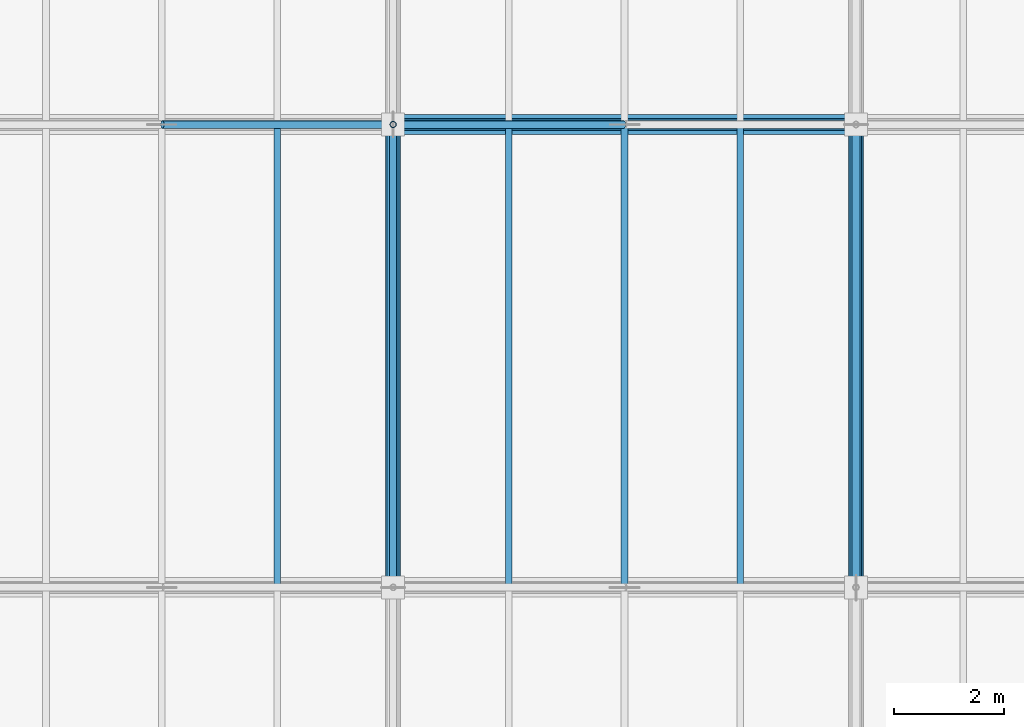
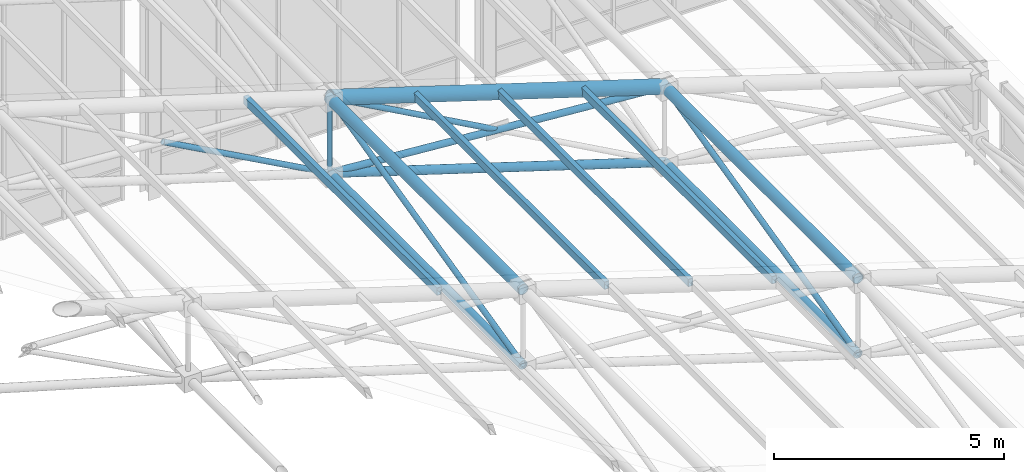
# One storey, part 99 of 144: 16 members.
"""IFC4 building model written with IfcOpenShell, lengths in metres."""

from ifc_helpers import new_model, si_unit, direction, frame, origin, origin_2d, place, context, subcontext, project, spatial, hollow_rectangle, hollow_circle, extrude, material, material_profile, profile_set, type_object, element, save


model = new_model("IFC4")

# Units and contexts
model_context = context("Model", 3, precision=1e-05, world=origin(), true_north=direction((0.0, 1.0)))
body_context = subcontext(model_context, "Body", "Model", "MODEL_VIEW")
ifc_project = project(units=[si_unit("LENGTHUNIT", "METRE"), si_unit("AREAUNIT", "SQUARE_METRE"), si_unit("VOLUMEUNIT", "CUBIC_METRE"), si_unit("PLANEANGLEUNIT", "RADIAN"), si_unit("MASSUNIT", "GRAM", prefix="KILO")], contexts=[model_context])

# Site, building, storey
site_placement = place(None, origin())
site = spatial("IfcSite", under=ifc_project, at=site_placement, CompositionType="ELEMENT")
building_placement = place(site_placement, origin())
building = spatial("IfcBuilding", under=site, at=building_placement, Name="Zayran Congress Hotel", CompositionType="ELEMENT")
storey_placement = place(building_placement, frame((0.0, 0.0, 19.199951171875)))
storey = spatial("IfcBuildingStorey", under=building, at=storey_placement, Name="L04", CompositionType="ELEMENT", Elevation=19.199951171875)

# Members
ifc_material = material(Name="Steel S355", Category="steel")
ifc_material_profile_1 = material_profile(ifc_material, hollow_circle(Radius=0.177734375, WallThickness=0.01611328125, at=origin_2d()), Name="CHS 355.6x16")
ifc_profile_set_1 = profile_set([ifc_material_profile_1], Name="Steel S355")
member_type_1 = type_object("IfcMemberType", Name="TP-SF-TC1", PredefinedType="CHORD", material=ifc_profile_set_1)
member_1_placement = place(storey_placement, frame((75.60009765625, 109.60009765625, 7.302001953125), z_axis=(0.953670596398, 0.0, -0.300852777228), x_axis=(0.0, 1.0, 0.0)))
element("IfcMember", 1, at=member_1_placement, inside=storey, type_object=member_type_1, Name="Space Frame Top Chord X 477", PredefinedType="CHORD", context=body_context, shape_type="SweptSolid", body=[
    extrude(hollow_circle(Radius=0.177734375, WallThickness=0.01611328125, at=origin_2d()), origin(), (0.0, 0.0, 1.0), 8.807861328125),
])
ifc_material_profile_2 = material_profile(ifc_material, hollow_circle(Radius=0.136474609375, WallThickness=0.012451171875, at=origin_2d()), Name="CHS 273x12.5")
ifc_profile_set_2 = profile_set([ifc_material_profile_2], Name="Steel S355")
member_type_2 = type_object("IfcMemberType", Name="TP-SF-TC2", PredefinedType="CHORD", material=ifc_profile_set_2)
for number, where, z_axis, x_axis, name in (
    (2, (75.60009765625, 101.199951171875, 7.302001953125), (0.0, 1.0, 0.0), (-1.0, 0.0, 0.0), "Space Frame Top Chord Y 473"),
    (3, (84.0, 101.199951171875, 4.652099609375), (0.0, 1.0, 0.0), (-1.0, 0.0, 0.0), "Space Frame Top Chord Y 526"),
):
    element("IfcMember", number, at=place(storey_placement, frame(where, z_axis=z_axis, x_axis=x_axis)), inside=storey, type_object=member_type_2, Name=name, PredefinedType="CHORD", context=body_context, shape_type="SweptSolid", body=[
        extrude(hollow_circle(Radius=0.136474609375, WallThickness=0.012451171875, at=origin_2d()), origin(), (0.0, 0.0, 1.0), 8.400146484375),
    ])
ifc_material_profile_3 = material_profile(ifc_material, hollow_circle(Radius=0.109619140625, WallThickness=0.010009765625, at=origin_2d()), Name="CHS 219.1x10")
ifc_profile_set_3 = profile_set([ifc_material_profile_3], Name="Steel S355")
member_type_3 = type_object("IfcMemberType", Name="TP-SF-BC1", PredefinedType="CHORD", material=ifc_profile_set_3)
member_2_placement = place(storey_placement, frame((75.60009765625, 101.199951171875, 5.300048828125), z_axis=(0.0, 1.0, 0.0), x_axis=(-1.0, 0.0, 0.0)))
element("IfcMember", 4, at=member_2_placement, inside=storey, type_object=member_type_3, Name="Space Frame Bottom Chord Y 474", PredefinedType="CHORD", context=body_context, shape_type="SweptSolid", body=[
    extrude(hollow_circle(Radius=0.109619140625, WallThickness=0.010009765625, at=origin_2d()), origin(), (0.0, 0.0, 1.0), 8.400146484375),
])
member_3_placement = place(storey_placement, frame((75.60009765625, 109.60009765625, 5.300048828125), z_axis=(0.953670596398, 0.0, -0.300852777228), x_axis=(0.0, 1.0, 0.0)))
element("IfcMember", 5, at=member_3_placement, inside=storey, type_object=member_type_3, Name="Space Frame Bottom Chord X 478", PredefinedType="CHORD", context=body_context, shape_type="SweptSolid", body=[
    extrude(hollow_circle(Radius=0.109619140625, WallThickness=0.010009765625, at=origin_2d()), origin(), (0.0, 0.0, 1.0), 8.807861328125),
])
member_4_placement = place(storey_placement, frame((84.0, 101.199951171875, 2.650146484375), z_axis=(0.0, 1.0, 0.0), x_axis=(-1.0, 0.0, 0.0)))
element("IfcMember", 6, at=member_4_placement, inside=storey, type_object=member_type_3, Name="Space Frame Bottom Chord Y 527", PredefinedType="CHORD", context=body_context, shape_type="SweptSolid", body=[
    extrude(hollow_circle(Radius=0.109619140625, WallThickness=0.010009765625, at=origin_2d()), origin(), (0.0, 0.0, 1.0), 8.400146484375),
])
ifc_material_profile_4 = material_profile(ifc_material, hollow_circle(Radius=0.084228515625, WallThickness=0.008056640625, at=origin_2d()), Name="CHS 168.3x8")
ifc_profile_set_4 = profile_set([ifc_material_profile_4], Name="Steel S355")
member_type_4 = type_object("IfcMemberType", Name="TP-SF-DG1", PredefinedType="BRACE", material=ifc_profile_set_4)
member_5_placement = place(storey_placement, frame((75.60009765625, 109.60009765625, 5.300048828125), z_axis=(0.997038098414, 0.0, -0.076909234238), x_axis=(0.0, 1.0, 0.0)))
element("IfcMember", 7, at=member_5_placement, inside=storey, type_object=member_type_4, Name="Space Frame Web Diagonal X 479", PredefinedType="BRACE", context=body_context, shape_type="SweptSolid", body=[
    extrude(hollow_circle(Radius=0.084228515625, WallThickness=0.008056640625, at=origin_2d()), origin(), (0.0, 0.0, 1.0), 8.4248046875),
])
ifc_material_profile_5 = material_profile(ifc_material, hollow_circle(Radius=0.06982421875, WallThickness=0.00634765625, at=origin_2d()), Name="CHS 139.7x6.3")
ifc_profile_set_5 = profile_set([ifc_material_profile_5], Name="Steel S355")
member_type_5 = type_object("IfcMemberType", Name="TP-SF-DG2", PredefinedType="BRACE", material=ifc_profile_set_5)
member_6_placement = place(storey_placement, frame((71.4130859375, 109.60009765625, 7.59375), z_axis=(0.877024445647, 0.0, -0.480445753169), x_axis=(0.0, 1.0, 0.0)))
element("IfcMember", 8, at=member_6_placement, inside=storey, type_object=member_type_5, Name="Space Frame Counter Diagonal X Lower 67", PredefinedType="BRACE", context=body_context, shape_type="SweptSolid", body=[
    extrude(hollow_circle(Radius=0.06982421875, WallThickness=0.00634765625, at=origin_2d()), origin(), (0.0, 0.0, 1.0), 4.774169921875),
])
member_7_placement = place(storey_placement, frame((75.60009765625, 101.199951171875, 5.300048828125), z_axis=(0.0, 0.972756139537, 0.231830742122), x_axis=(-1.0, 0.0, 0.0)))
element("IfcMember", 9, at=member_7_placement, inside=storey, type_object=member_type_5, Name="Space Frame Web Diagonal Y 475", PredefinedType="BRACE", context=body_context, shape_type="SweptSolid", body=[
    extrude(hollow_circle(Radius=0.06982421875, WallThickness=0.00634765625, at=origin_2d()), origin(), (0.0, 0.0, 1.0), 8.635498046875),
])
member_8_placement = place(storey_placement, frame((75.60009765625, 109.60009765625, 7.302001953125), z_axis=(0.874810980482, 0.0, -0.484464393355), x_axis=(0.0, 1.0, 0.0)))
element("IfcMember", 10, at=member_8_placement, inside=storey, type_object=member_type_5, Name="Space Frame Counter Diagonal X Upper 480", PredefinedType="BRACE", context=body_context, shape_type="SweptSolid", body=[
    extrude(hollow_circle(Radius=0.06982421875, WallThickness=0.00634765625, at=origin_2d()), origin(), (0.0, 0.0, 1.0), 4.785888671875),
])
member_9_placement = place(storey_placement, frame((84.0, 101.199951171875, 2.650146484375), z_axis=(0.0, 0.972756139537, 0.231830742122), x_axis=(-1.0, 0.0, 0.0)))
element("IfcMember", 11, at=member_9_placement, inside=storey, type_object=member_type_5, Name="Space Frame Web Diagonal Y 528", PredefinedType="BRACE", context=body_context, shape_type="SweptSolid", body=[
    extrude(hollow_circle(Radius=0.06982421875, WallThickness=0.00634765625, at=origin_2d()), origin(), (0.0, 0.0, 1.0), 8.635498046875),
])
ifc_material_profile_6 = material_profile(ifc_material, hollow_circle(Radius=0.05712890625, WallThickness=0.00634765625, at=origin_2d()), Name="CHS 114.3x6.3")
ifc_profile_set_6 = profile_set([ifc_material_profile_6], Name="Steel S355")
member_type_6 = type_object("IfcMemberType", Name="TP-SF-DG3", PredefinedType="BRACE", material=ifc_profile_set_6)
member_10_placement = place(storey_placement, frame((75.60009765625, 109.60009765625, 5.300048828125), z_axis=(0.0, 0.0, 1.0), x_axis=(0.0, 1.0, 0.0)))
element("IfcMember", 12, at=member_10_placement, inside=storey, type_object=member_type_6, Name="Space Frame Web Strut 484", PredefinedType="BRACE", context=body_context, shape_type="SweptSolid", body=[
    extrude(hollow_circle(Radius=0.05712890625, WallThickness=0.00634765625, at=origin_2d()), origin(), (0.0, 0.0, 1.0), 2.001953125),
])
ifc_material_profile_7 = material_profile(ifc_material, hollow_rectangle(XDim=0.1201171875, YDim=0.199951171875, WallThickness=0.008056640625, at=origin_2d()), Name="RHS 200x120x8")
ifc_profile_set_7 = profile_set([ifc_material_profile_7], Name="Steel S355")
member_type_7 = type_object("IfcMemberType", Name="TP-PR-01", PredefinedType="PURLIN", material=ifc_profile_set_7)
for number, where, z_axis, x_axis, name in (
    (13, (73.5, 101.199951171875, 7.994140625), (0.0, 1.0, 0.0), (-1.0, 0.0, 0.0), "MEM-PR-V1-0143"),
    (14, (77.699951171875, 101.199951171875, 6.681640625), (0.0, 1.0, 0.0), (-1.0, 0.0, 0.0), "MEM-PR-V1-0149"),
    (15, (79.800048828125, 101.199951171875, 6.01904296875), (0.0, 1.0, 0.0), (-1.0, 0.0, 0.0), "MEM-PR-V1-0155"),
    (16, (81.89990234375, 101.199951171875, 5.3564453125), (0.0, 1.0, 0.0), (-1.0, 0.0, 0.0), "MEM-PR-V1-0161"),
):
    element("IfcMember", number, at=place(storey_placement, frame(where, z_axis=z_axis, x_axis=x_axis)), inside=storey, type_object=member_type_7, Name=name, PredefinedType="PURLIN", context=body_context, shape_type="SweptSolid", body=[
        extrude(hollow_rectangle(XDim=0.1201171875, YDim=0.199951171875, WallThickness=0.008056640625, at=origin_2d()), origin(), (0.0, 0.0, 1.0), 8.400146484375),
    ])

save(model, "model.ifc")
